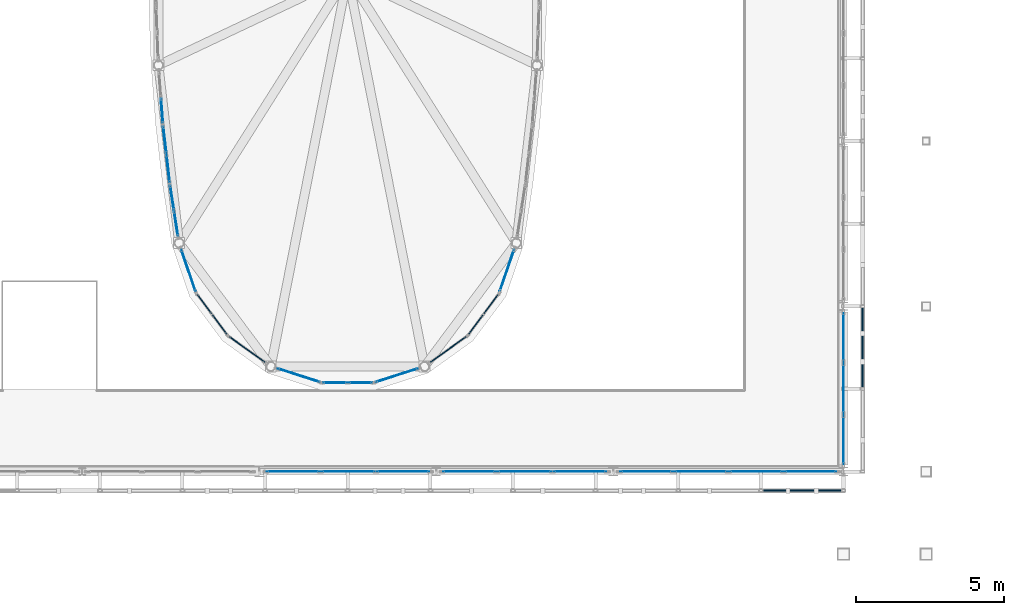
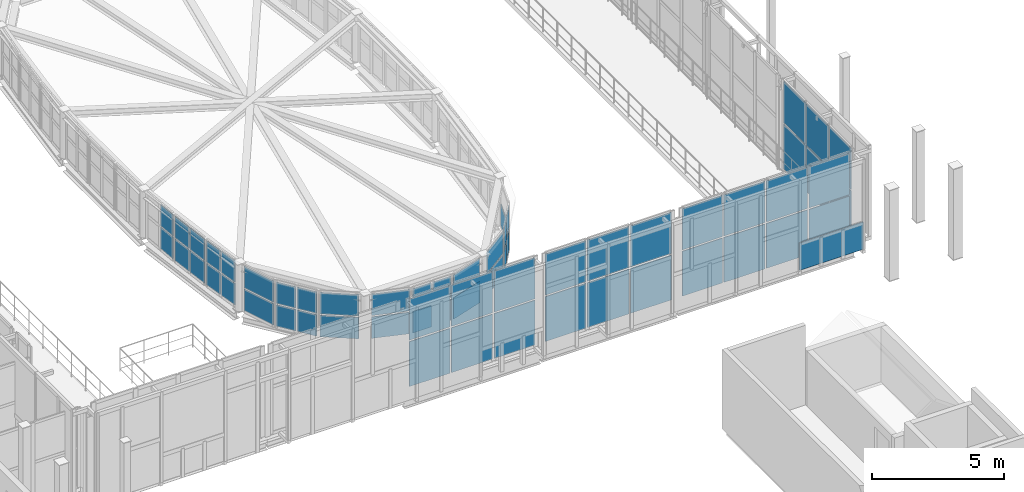
# One storey, part 51 of 78: 61 plates, 16 elements without a shape of their own.
"""IFC4 building model written with IfcOpenShell, lengths in metres."""

from ifc_helpers import new_model, si_unit, direction, frame, origin, origin_2d, place, context, subcontext, project, spatial, rectangle, extrude, material, layer, layer_set, type_object, element, aggregate, save


model = new_model("IFC4")

# Units and contexts
model_context = context("Model", 3, precision=1e-05, world=origin(), true_north=direction((0.0, 1.0)))
body_context = subcontext(model_context, "Body", "Model", "MODEL_VIEW")
ifc_project = project(units=[si_unit("LENGTHUNIT", "METRE"), si_unit("AREAUNIT", "SQUARE_METRE"), si_unit("VOLUMEUNIT", "CUBIC_METRE"), si_unit("PLANEANGLEUNIT", "RADIAN"), si_unit("MASSUNIT", "GRAM", prefix="KILO")], contexts=[model_context])

# Site, building, storey
site_placement = place(None, origin())
site = spatial("IfcSite", under=ifc_project, at=site_placement, CompositionType="ELEMENT")
building_placement = place(site_placement, origin())
building = spatial("IfcBuilding", under=site, at=building_placement, Name="Vinh Khe Railworks Police Headquarters", CompositionType="ELEMENT")
storey_placement = place(building_placement, frame((0.0, 0.0, 13.199951171875)))
storey = spatial("IfcBuildingStorey", under=building, at=storey_placement, Name="L03", CompositionType="ELEMENT", Elevation=13.199951171875)

# Curtain wall, plates
ifc_material_1 = material(Name="Anodised aluminium and acoustic laminated glass", Category="aluminium")
ifc_layer_1 = layer(ifc_material_1, 0.159912109375)
ifc_layer_set_1 = layer_set([ifc_layer_1], Name="Anodised aluminium and acoustic laminated glass")
curtain_wall_type_1 = type_object("IfcCurtainWallType", Name="CW-DRUM-CHORD", PredefinedType="USERDEFINED", material=ifc_layer_set_1)
curtain_wall_1_placement = place(storey_placement, origin())
curtain_wall_1 = element("IfcCurtainWall", 1, at=curtain_wall_1_placement, inside=storey, type_object=curtain_wall_type_1, Name="Elliptical Command Drum Glazing L03 Chord 25", ObjectType="DRUM FACADE GLAZING", PredefinedType="USERDEFINED")
ifc_material_2 = material(Name="Acoustic laminated solar-control glass", Category="glass")
ifc_layer_2 = layer(ifc_material_2, 0.031982421875)
ifc_layer_set_2 = layer_set([ifc_layer_2], Name="Acoustic laminated solar-control glass")
plate_type_1 = type_object("IfcPlateType", Name="PAN-DRUM-32", PredefinedType="CURTAIN_PANEL", material=ifc_layer_set_2)
plate_1_placement = place(storey_placement, frame((36.90673828125, 37.426513671875, 0.06494140625), z_axis=(0.0, 0.0, 1.0), x_axis=(0.076969059213, -0.997033481847, 0.0)))
plate_1 = element("IfcPlate", 2, at=plate_1_placement, type_object=plate_type_1, Name="CW-02 panel 2.1", PredefinedType="CURTAIN_PANEL", context=body_context, shape_type="SweptSolid", body=[
    extrude(rectangle(XDim=0.82275390625, YDim=0.031982421875, at=origin_2d()), origin(), (0.0, 0.0, 1.0), 0.992431640625),
])
plate_2_placement = place(storey_placement, frame((36.90673828125, 37.426513671875, 1.12255859375), z_axis=(0.0, 0.0, 1.0), x_axis=(0.076969059213, -0.997033481847, 0.0)))
plate_2 = element("IfcPlate", 3, at=plate_2_placement, type_object=plate_type_1, Name="CW-02 panel 2.2", PredefinedType="CURTAIN_PANEL", context=body_context, shape_type="SweptSolid", body=[
    extrude(rectangle(XDim=0.82275390625, YDim=0.031982421875, at=origin_2d()), origin(), (0.0, 0.0, 1.0), 0.992431640625),
])
aggregate(curtain_wall_1, [plate_1, plate_2])

curtain_wall_2_placement = place(storey_placement, origin())
curtain_wall_2 = element("IfcCurtainWall", 4, at=curtain_wall_2_placement, inside=storey, type_object=curtain_wall_type_1, Name="Elliptical Command Drum Glazing L03 Chord 26", ObjectType="DRUM FACADE GLAZING", PredefinedType="USERDEFINED")
plate_3_placement = place(storey_placement, frame((37.00341796875, 36.43310546875, 0.06494140625), z_axis=(0.0, 0.0, 1.0), x_axis=(0.115317737498, -0.993328656296, 0.0)))
plate_3 = element("IfcPlate", 5, at=plate_3_placement, type_object=plate_type_1, Name="CW-02 panel 1.1", PredefinedType="CURTAIN_PANEL", context=body_context, shape_type="SweptSolid", body=[
    extrude(rectangle(XDim=0.913818359375, YDim=0.031982421875, at=origin_2d()), origin(), (0.0, 0.0, 1.0), 0.992431640625),
])
plate_4_placement = place(storey_placement, frame((37.00341796875, 36.43310546875, 1.12255859375), z_axis=(0.0, 0.0, 1.0), x_axis=(0.115317737498, -0.993328656296, 0.0)))
plate_4 = element("IfcPlate", 6, at=plate_4_placement, type_object=plate_type_1, Name="CW-02 panel 1.2", PredefinedType="CURTAIN_PANEL", context=body_context, shape_type="SweptSolid", body=[
    extrude(rectangle(XDim=0.913818359375, YDim=0.031982421875, at=origin_2d()), origin(), (0.0, 0.0, 1.0), 0.992431640625),
])
plate_5_placement = place(storey_placement, frame((37.116455078125, 35.4609375, 0.06494140625), z_axis=(0.0, 0.0, 1.0), x_axis=(0.115317737498, -0.993328656296, 0.0)))
plate_5 = element("IfcPlate", 7, at=plate_5_placement, type_object=plate_type_1, Name="CW-02 panel 2.1", PredefinedType="CURTAIN_PANEL", context=body_context, shape_type="SweptSolid", body=[
    extrude(rectangle(XDim=0.913818359375, YDim=0.031982421875, at=origin_2d()), origin(), (0.0, 0.0, 1.0), 0.992431640625),
])
plate_6_placement = place(storey_placement, frame((37.116455078125, 35.4609375, 1.12255859375), z_axis=(0.0, 0.0, 1.0), x_axis=(0.115317737498, -0.993328656296, 0.0)))
plate_6 = element("IfcPlate", 8, at=plate_6_placement, type_object=plate_type_1, Name="CW-02 panel 2.2", PredefinedType="CURTAIN_PANEL", context=body_context, shape_type="SweptSolid", body=[
    extrude(rectangle(XDim=0.913818359375, YDim=0.031982421875, at=origin_2d()), origin(), (0.0, 0.0, 1.0), 0.992431640625),
])
aggregate(curtain_wall_2, [plate_3, plate_4, plate_5, plate_6])

curtain_wall_3_placement = place(storey_placement, origin())
curtain_wall_3 = element("IfcCurtainWall", 9, at=curtain_wall_3_placement, inside=storey, type_object=curtain_wall_type_1, Name="Elliptical Command Drum Glazing L03 Chord 27", ObjectType="DRUM FACADE GLAZING", PredefinedType="USERDEFINED")
plate_7_placement = place(storey_placement, frame((37.249755859375, 34.471923828125, 0.06494140625), z_axis=(0.0, 0.0, 1.0), x_axis=(0.153488905684, -0.988150371063, 0.0)))
plate_7 = element("IfcPlate", 10, at=plate_7_placement, type_object=plate_type_1, Name="CW-02 panel 1.1", PredefinedType="CURTAIN_PANEL", context=body_context, shape_type="SweptSolid", body=[
    extrude(rectangle(XDim=0.82275390625, YDim=0.031982421875, at=origin_2d()), origin(), (0.0, 0.0, 1.0), 0.992431640625),
])
plate_8_placement = place(storey_placement, frame((37.249755859375, 34.471923828125, 1.12255859375), z_axis=(0.0, 0.0, 1.0), x_axis=(0.153488905684, -0.988150371063, 0.0)))
plate_8 = element("IfcPlate", 11, at=plate_8_placement, type_object=plate_type_1, Name="CW-02 panel 1.2", PredefinedType="CURTAIN_PANEL", context=body_context, shape_type="SweptSolid", body=[
    extrude(rectangle(XDim=0.82275390625, YDim=0.031982421875, at=origin_2d()), origin(), (0.0, 0.0, 1.0), 0.992431640625),
])
plate_9_placement = place(storey_placement, frame((37.385986328125, 33.5947265625, 0.06494140625), z_axis=(0.0, 0.0, 1.0), x_axis=(0.153488905684, -0.988150371063, 0.0)))
plate_9 = element("IfcPlate", 12, at=plate_9_placement, type_object=plate_type_1, Name="CW-02 panel 2.1", PredefinedType="CURTAIN_PANEL", context=body_context, shape_type="SweptSolid", body=[
    extrude(rectangle(XDim=0.82275390625, YDim=0.031982421875, at=origin_2d()), origin(), (0.0, 0.0, 1.0), 0.992431640625),
])
plate_10_placement = place(storey_placement, frame((37.385986328125, 33.5947265625, 1.12255859375), z_axis=(0.0, 0.0, 1.0), x_axis=(0.153488905684, -0.988150371063, 0.0)))
plate_10 = element("IfcPlate", 13, at=plate_10_placement, type_object=plate_type_1, Name="CW-02 panel 2.2", PredefinedType="CURTAIN_PANEL", context=body_context, shape_type="SweptSolid", body=[
    extrude(rectangle(XDim=0.82275390625, YDim=0.031982421875, at=origin_2d()), origin(), (0.0, 0.0, 1.0), 0.992431640625),
])
aggregate(curtain_wall_3, [plate_7, plate_8, plate_9, plate_10])

curtain_wall_4_placement = place(storey_placement, origin())
curtain_wall_4 = element("IfcCurtainWall", 14, at=curtain_wall_4_placement, inside=storey, type_object=curtain_wall_type_1, Name="Elliptical Command Drum Glazing L03 Chord 28", ObjectType="DRUM FACADE GLAZING", PredefinedType="USERDEFINED")
plate_11_placement = place(storey_placement, frame((37.805908203125, 32.009033203125, 0.06494140625), z_axis=(0.0, 0.0, 1.0), x_axis=(0.322748955701, -0.946484607162, 0.0)))
plate_11 = element("IfcPlate", 15, at=plate_11_placement, type_object=plate_type_1, Name="CW-02 panel 1.1", PredefinedType="CURTAIN_PANEL", context=body_context, shape_type="SweptSolid", body=[
    extrude(rectangle(XDim=1.48193359375, YDim=0.031982421875, at=origin_2d()), origin(), (0.0, 0.0, 1.0), 0.992431640625),
])
plate_12_placement = place(storey_placement, frame((37.805908203125, 32.009033203125, 1.12255859375), z_axis=(0.0, 0.0, 1.0), x_axis=(0.322748955701, -0.946484607162, 0.0)))
plate_12 = element("IfcPlate", 16, at=plate_12_placement, type_object=plate_type_1, Name="CW-02 panel 1.2", PredefinedType="CURTAIN_PANEL", context=body_context, shape_type="SweptSolid", body=[
    extrude(rectangle(XDim=1.48193359375, YDim=0.031982421875, at=origin_2d()), origin(), (0.0, 0.0, 1.0), 0.992431640625),
])
aggregate(curtain_wall_4, [plate_11, plate_12])

curtain_wall_5_placement = place(storey_placement, origin())
curtain_wall_5 = element("IfcCurtainWall", 17, at=curtain_wall_5_placement, inside=storey, type_object=curtain_wall_type_1, Name="Elliptical Command Drum Glazing L03 Chord 29", ObjectType="DRUM FACADE GLAZING", PredefinedType="USERDEFINED")
plate_13_placement = place(storey_placement, frame((38.34326171875, 30.873291015625, 0.06494140625), z_axis=(0.0, 0.0, 1.0), x_axis=(0.596528425784, -0.802591949394, 0.0)))
plate_13 = element("IfcPlate", 18, at=plate_13_placement, type_object=plate_type_1, Name="CW-02 panel 1.1", PredefinedType="CURTAIN_PANEL", context=body_context, shape_type="SweptSolid", body=[
    extrude(rectangle(XDim=0.799560546875, YDim=0.031982421875, at=origin_2d()), origin(), (0.0, 0.0, 1.0), 0.992431640625),
])
plate_14_placement = place(storey_placement, frame((38.34326171875, 30.873291015625, 1.12255859375), z_axis=(0.0, 0.0, 1.0), x_axis=(0.596528425784, -0.802591949394, 0.0)))
plate_14 = element("IfcPlate", 19, at=plate_14_placement, type_object=plate_type_1, Name="CW-02 panel 1.2", PredefinedType="CURTAIN_PANEL", context=body_context, shape_type="SweptSolid", body=[
    extrude(rectangle(XDim=0.799560546875, YDim=0.031982421875, at=origin_2d()), origin(), (0.0, 0.0, 1.0), 0.992431640625),
])
plate_15_placement = place(storey_placement, frame((38.85888671875, 30.179443359375, 0.06494140625), z_axis=(0.0, 0.0, 1.0), x_axis=(0.596528425784, -0.802591949394, 0.0)))
plate_15 = element("IfcPlate", 20, at=plate_15_placement, type_object=plate_type_1, Name="CW-02 panel 2.1", PredefinedType="CURTAIN_PANEL", context=body_context, shape_type="SweptSolid", body=[
    extrude(rectangle(XDim=0.799560546875, YDim=0.031982421875, at=origin_2d()), origin(), (0.0, 0.0, 1.0), 0.992431640625),
])
plate_16_placement = place(storey_placement, frame((38.85888671875, 30.179443359375, 1.12255859375), z_axis=(0.0, 0.0, 1.0), x_axis=(0.596528425784, -0.802591949394, 0.0)))
plate_16 = element("IfcPlate", 21, at=plate_16_placement, type_object=plate_type_1, Name="CW-02 panel 2.2", PredefinedType="CURTAIN_PANEL", context=body_context, shape_type="SweptSolid", body=[
    extrude(rectangle(XDim=0.799560546875, YDim=0.031982421875, at=origin_2d()), origin(), (0.0, 0.0, 1.0), 0.992431640625),
])
aggregate(curtain_wall_5, [plate_13, plate_14, plate_15, plate_16])

curtain_wall_6_placement = place(storey_placement, origin())
curtain_wall_6 = element("IfcCurtainWall", 22, at=curtain_wall_6_placement, inside=storey, type_object=curtain_wall_type_1, Name="Elliptical Command Drum Glazing L03 Chord 30", ObjectType="DRUM FACADE GLAZING", PredefinedType="USERDEFINED")
plate_17_placement = place(storey_placement, frame((39.79150390625, 29.33740234375, 0.06494140625), z_axis=(0.0, 0.0, 1.0), x_axis=(0.813250307161, -0.581914029649, 0.0)))
plate_17 = element("IfcPlate", 23, at=plate_17_placement, type_object=plate_type_1, Name="CW-02 panel 1.1", PredefinedType="CURTAIN_PANEL", context=body_context, shape_type="SweptSolid", body=[
    extrude(rectangle(XDim=1.48193359375, YDim=0.031982421875, at=origin_2d()), origin(), (0.0, 0.0, 1.0), 0.992431640625),
])
plate_18_placement = place(storey_placement, frame((39.79150390625, 29.33740234375, 1.12255859375), z_axis=(0.0, 0.0, 1.0), x_axis=(0.813250307161, -0.581914029649, 0.0)))
plate_18 = element("IfcPlate", 24, at=plate_18_placement, type_object=plate_type_1, Name="CW-02 panel 1.2", PredefinedType="CURTAIN_PANEL", context=body_context, shape_type="SweptSolid", body=[
    extrude(rectangle(XDim=1.48193359375, YDim=0.031982421875, at=origin_2d()), origin(), (0.0, 0.0, 1.0), 0.992431640625),
])
aggregate(curtain_wall_6, [plate_17, plate_18])

curtain_wall_7_placement = place(storey_placement, origin())
curtain_wall_7 = element("IfcCurtainWall", 25, at=curtain_wall_7_placement, inside=storey, type_object=curtain_wall_type_1, Name="Elliptical Command Drum Glazing L03 Chord 31", ObjectType="DRUM FACADE GLAZING", PredefinedType="USERDEFINED")
plate_19_placement = place(storey_placement, frame((41.53564453125, 28.460693359375, 0.06494140625), z_axis=(0.0, 0.0, 1.0), x_axis=(0.952166591336, -0.305579420681, 0.0)))
plate_19 = element("IfcPlate", 26, at=plate_19_placement, type_object=plate_type_1, Name="CW-02 panel 1.1", PredefinedType="CURTAIN_PANEL", context=body_context, shape_type="SweptSolid", body=[
    extrude(rectangle(XDim=1.48193359375, YDim=0.031982421875, at=origin_2d()), origin(), (0.0, 0.0, 1.0), 0.992431640625),
])
plate_20_placement = place(storey_placement, frame((41.53564453125, 28.460693359375, 1.12255859375), z_axis=(0.0, 0.0, 1.0), x_axis=(0.952166591336, -0.305579420681, 0.0)))
plate_20 = element("IfcPlate", 27, at=plate_20_placement, type_object=plate_type_1, Name="CW-02 panel 1.2", PredefinedType="CURTAIN_PANEL", context=body_context, shape_type="SweptSolid", body=[
    extrude(rectangle(XDim=1.48193359375, YDim=0.031982421875, at=origin_2d()), origin(), (0.0, 0.0, 1.0), 0.992431640625),
])
aggregate(curtain_wall_7, [plate_19, plate_20])

curtain_wall_8_placement = place(storey_placement, origin())
curtain_wall_8 = element("IfcCurtainWall", 28, at=curtain_wall_8_placement, inside=storey, type_object=curtain_wall_type_1, Name="Elliptical Command Drum Glazing L03 Chord 32", ObjectType="DRUM FACADE GLAZING", PredefinedType="USERDEFINED")
plate_21_placement = place(storey_placement, frame((42.767822265625, 28.21435546875, 0.06494140625), z_axis=(0.0, 0.0, 1.0), x_axis=(1.0, 0.0, 0.0)))
plate_21 = element("IfcPlate", 29, at=plate_21_placement, type_object=plate_type_1, Name="CW-02 panel 1.1", PredefinedType="CURTAIN_PANEL", context=body_context, shape_type="SweptSolid", body=[
    extrude(rectangle(XDim=0.799560546875, YDim=0.031982421875, at=origin_2d()), origin(), (0.0, 0.0, 1.0), 0.992431640625),
])
plate_22_placement = place(storey_placement, frame((42.767822265625, 28.21435546875, 1.12255859375), z_axis=(0.0, 0.0, 1.0), x_axis=(1.0, 0.0, 0.0)))
plate_22 = element("IfcPlate", 30, at=plate_22_placement, type_object=plate_type_1, Name="CW-02 panel 1.2", PredefinedType="CURTAIN_PANEL", context=body_context, shape_type="SweptSolid", body=[
    extrude(rectangle(XDim=0.799560546875, YDim=0.031982421875, at=origin_2d()), origin(), (0.0, 0.0, 1.0), 0.992431640625),
])
plate_23_placement = place(storey_placement, frame((43.63232421875, 28.21435546875, 0.06494140625), z_axis=(0.0, 0.0, 1.0), x_axis=(1.0, 0.0, 0.0)))
plate_23 = element("IfcPlate", 31, at=plate_23_placement, type_object=plate_type_1, Name="CW-02 panel 2.1", PredefinedType="CURTAIN_PANEL", context=body_context, shape_type="SweptSolid", body=[
    extrude(rectangle(XDim=0.799560546875, YDim=0.031982421875, at=origin_2d()), origin(), (0.0, 0.0, 1.0), 0.992431640625),
])
plate_24_placement = place(storey_placement, frame((43.63232421875, 28.21435546875, 1.12255859375), z_axis=(0.0, 0.0, 1.0), x_axis=(1.0, 0.0, 0.0)))
plate_24 = element("IfcPlate", 32, at=plate_24_placement, type_object=plate_type_1, Name="CW-02 panel 2.2", PredefinedType="CURTAIN_PANEL", context=body_context, shape_type="SweptSolid", body=[
    extrude(rectangle(XDim=0.799560546875, YDim=0.031982421875, at=origin_2d()), origin(), (0.0, 0.0, 1.0), 0.992431640625),
])
aggregate(curtain_wall_8, [plate_21, plate_22, plate_23, plate_24])

curtain_wall_9_placement = place(storey_placement, origin())
curtain_wall_9 = element("IfcCurtainWall", 33, at=curtain_wall_9_placement, inside=storey, type_object=curtain_wall_type_1, Name="Elliptical Command Drum Glazing L03 Chord 33", ObjectType="DRUM FACADE GLAZING", PredefinedType="USERDEFINED")
plate_25_placement = place(storey_placement, frame((44.864501953125, 28.460693359375, 0.06494140625), z_axis=(0.0, 0.0, 1.0), x_axis=(0.952166591336, 0.305579420681, 0.0)))
plate_25 = element("IfcPlate", 34, at=plate_25_placement, type_object=plate_type_1, Name="CW-02 panel 1.1", PredefinedType="CURTAIN_PANEL", context=body_context, shape_type="SweptSolid", body=[
    extrude(rectangle(XDim=1.48193359375, YDim=0.031982421875, at=origin_2d()), origin(), (0.0, 0.0, 1.0), 0.992431640625),
])
plate_26_placement = place(storey_placement, frame((44.864501953125, 28.460693359375, 1.12255859375), z_axis=(0.0, 0.0, 1.0), x_axis=(0.952166591336, 0.305579420681, 0.0)))
plate_26 = element("IfcPlate", 35, at=plate_26_placement, type_object=plate_type_1, Name="CW-02 panel 1.2", PredefinedType="CURTAIN_PANEL", context=body_context, shape_type="SweptSolid", body=[
    extrude(rectangle(XDim=1.48193359375, YDim=0.031982421875, at=origin_2d()), origin(), (0.0, 0.0, 1.0), 0.992431640625),
])
aggregate(curtain_wall_9, [plate_25, plate_26])

curtain_wall_10_placement = place(storey_placement, origin())
curtain_wall_10 = element("IfcCurtainWall", 36, at=curtain_wall_10_placement, inside=storey, type_object=curtain_wall_type_1, Name="Elliptical Command Drum Glazing L03 Chord 34", ObjectType="DRUM FACADE GLAZING", PredefinedType="USERDEFINED")
plate_27_placement = place(storey_placement, frame((46.6083984375, 29.33740234375, 0.06494140625), z_axis=(0.0, 0.0, 1.0), x_axis=(0.813250307161, 0.581914029649, 0.0)))
plate_27 = element("IfcPlate", 37, at=plate_27_placement, type_object=plate_type_1, Name="CW-02 panel 1.1", PredefinedType="CURTAIN_PANEL", context=body_context, shape_type="SweptSolid", body=[
    extrude(rectangle(XDim=1.48193359375, YDim=0.031982421875, at=origin_2d()), origin(), (0.0, 0.0, 1.0), 0.992431640625),
])
plate_28_placement = place(storey_placement, frame((46.6083984375, 29.33740234375, 1.12255859375), z_axis=(0.0, 0.0, 1.0), x_axis=(0.813250307161, 0.581914029649, 0.0)))
plate_28 = element("IfcPlate", 38, at=plate_28_placement, type_object=plate_type_1, Name="CW-02 panel 1.2", PredefinedType="CURTAIN_PANEL", context=body_context, shape_type="SweptSolid", body=[
    extrude(rectangle(XDim=1.48193359375, YDim=0.031982421875, at=origin_2d()), origin(), (0.0, 0.0, 1.0), 0.992431640625),
])
aggregate(curtain_wall_10, [plate_27, plate_28])

curtain_wall_11_placement = place(storey_placement, origin())
curtain_wall_11 = element("IfcCurtainWall", 39, at=curtain_wall_11_placement, inside=storey, type_object=curtain_wall_type_1, Name="Elliptical Command Drum Glazing L03 Chord 35", ObjectType="DRUM FACADE GLAZING", PredefinedType="USERDEFINED")
plate_29_placement = place(storey_placement, frame((47.541259765625, 30.179443359375, 0.06494140625), z_axis=(0.0, 0.0, 1.0), x_axis=(0.596528425784, 0.802591949394, 0.0)))
plate_29 = element("IfcPlate", 40, at=plate_29_placement, type_object=plate_type_1, Name="CW-02 panel 1.1", PredefinedType="CURTAIN_PANEL", context=body_context, shape_type="SweptSolid", body=[
    extrude(rectangle(XDim=0.799560546875, YDim=0.031982421875, at=origin_2d()), origin(), (0.0, 0.0, 1.0), 0.992431640625),
])
plate_30_placement = place(storey_placement, frame((47.541259765625, 30.179443359375, 1.12255859375), z_axis=(0.0, 0.0, 1.0), x_axis=(0.596528425784, 0.802591949394, 0.0)))
plate_30 = element("IfcPlate", 41, at=plate_30_placement, type_object=plate_type_1, Name="CW-02 panel 1.2", PredefinedType="CURTAIN_PANEL", context=body_context, shape_type="SweptSolid", body=[
    extrude(rectangle(XDim=0.799560546875, YDim=0.031982421875, at=origin_2d()), origin(), (0.0, 0.0, 1.0), 0.992431640625),
])
plate_31_placement = place(storey_placement, frame((48.056884765625, 30.873291015625, 0.06494140625), z_axis=(0.0, 0.0, 1.0), x_axis=(0.596528425784, 0.802591949394, 0.0)))
plate_31 = element("IfcPlate", 42, at=plate_31_placement, type_object=plate_type_1, Name="CW-02 panel 2.1", PredefinedType="CURTAIN_PANEL", context=body_context, shape_type="SweptSolid", body=[
    extrude(rectangle(XDim=0.799560546875, YDim=0.031982421875, at=origin_2d()), origin(), (0.0, 0.0, 1.0), 0.992431640625),
])
plate_32_placement = place(storey_placement, frame((48.056884765625, 30.873291015625, 1.12255859375), z_axis=(0.0, 0.0, 1.0), x_axis=(0.596528425784, 0.802591949394, 0.0)))
plate_32 = element("IfcPlate", 43, at=plate_32_placement, type_object=plate_type_1, Name="CW-02 panel 2.2", PredefinedType="CURTAIN_PANEL", context=body_context, shape_type="SweptSolid", body=[
    extrude(rectangle(XDim=0.799560546875, YDim=0.031982421875, at=origin_2d()), origin(), (0.0, 0.0, 1.0), 0.992431640625),
])
aggregate(curtain_wall_11, [plate_29, plate_30, plate_31, plate_32])

# Curtain wall, plate
curtain_wall_12_placement = place(storey_placement, origin())
curtain_wall_12 = element("IfcCurtainWall", 44, at=curtain_wall_12_placement, inside=storey, type_object=curtain_wall_type_1, Name="Elliptical Command Drum Glazing L03 Chord 36", ObjectType="DRUM FACADE GLAZING", PredefinedType="USERDEFINED")
plate_33_placement = place(storey_placement, frame((48.59423828125, 32.009033203125, 0.06494140625), z_axis=(0.0, 0.0, 1.0), x_axis=(0.322748955701, 0.946484607162, 0.0)))
plate_33 = element("IfcPlate", 45, at=plate_33_placement, type_object=plate_type_1, Name="CW-02 panel 1.1", PredefinedType="CURTAIN_PANEL", context=body_context, shape_type="SweptSolid", body=[
    extrude(rectangle(XDim=1.48193359375, YDim=0.031982421875, at=origin_2d()), origin(), (0.0, 0.0, 1.0), 0.992431640625),
])
aggregate(curtain_wall_12, [plate_33])

# Curtain wall, plates
ifc_material_3 = material(Name="Anodised aluminium and low-iron glass", Category="aluminium")
ifc_layer_3 = layer(ifc_material_3, 0.179931640625)
ifc_layer_set_3 = layer_set([ifc_layer_3], Name="Anodised aluminium and low-iron glass")
curtain_wall_type_2 = type_object("IfcCurtainWallType", Name="CW-CUBE-UNIT", PredefinedType="USERDEFINED", material=ifc_layer_set_3)
curtain_wall_13_placement = place(storey_placement, origin())
curtain_wall_13 = element("IfcCurtainWall", 46, at=curtain_wall_13_placement, inside=storey, type_object=curtain_wall_type_2, Name="Entrance Hall Curtain Wall L03 S-3", ObjectType="UNITISED GLAZING", PredefinedType="USERDEFINED")
ifc_material_4 = material(Name="Low-iron laminated solar-control glass", Category="glass")
ifc_layer_4 = layer(ifc_material_4, 0.028076171875)
ifc_layer_set_4 = layer_set([ifc_layer_4], Name="Low-iron laminated solar-control glass")
plate_type_2 = type_object("IfcPlateType", Name="PAN-GLZ-28", PredefinedType="CURTAIN_PANEL", material=ifc_layer_set_4)
plate_34_placement = place(storey_placement, frame((41.353271484375, 25.199951171875, 0.070068359375), z_axis=(0.0, 0.0, 1.0), x_axis=(1.0, 0.0, 0.0)))
plate_34 = element("IfcPlate", 47, at=plate_34_placement, type_object=plate_type_2, Name="CW-01 panel 1.1", PredefinedType="CURTAIN_PANEL", context=body_context, shape_type="SweptSolid", body=[
    extrude(rectangle(XDim=1.776611328125, YDim=0.028076171875, at=origin_2d()), origin(), (0.0, 0.0, 1.0), 2.0791015625),
])
plate_35_placement = place(storey_placement, frame((41.353271484375, 25.199951171875, 2.21923828125), z_axis=(0.0, 0.0, 1.0), x_axis=(1.0, 0.0, 0.0)))
plate_35 = element("IfcPlate", 48, at=plate_35_placement, type_object=plate_type_2, Name="CW-01 panel 1.2", PredefinedType="CURTAIN_PANEL", context=body_context, shape_type="SweptSolid", body=[
    extrude(rectangle(XDim=1.776611328125, YDim=0.028076171875, at=origin_2d()), origin(), (0.0, 0.0, 1.0), 1.910888671875),
])
plate_36_placement = place(storey_placement, frame((43.217529296875, 25.199951171875, 0.070068359375), z_axis=(0.0, 0.0, 1.0), x_axis=(1.0, 0.0, 0.0)))
plate_36 = element("IfcPlate", 49, at=plate_36_placement, type_object=plate_type_2, Name="CW-01 panel 2.1", PredefinedType="CURTAIN_PANEL", context=body_context, shape_type="SweptSolid", body=[
    extrude(rectangle(XDim=1.811767578125, YDim=0.028076171875, at=origin_2d()), origin(), (0.0, 0.0, 1.0), 2.0791015625),
])
plate_37_placement = place(storey_placement, frame((43.217529296875, 25.199951171875, 2.21923828125), z_axis=(0.0, 0.0, 1.0), x_axis=(1.0, 0.0, 0.0)))
plate_37 = element("IfcPlate", 50, at=plate_37_placement, type_object=plate_type_2, Name="CW-01 panel 2.2", PredefinedType="CURTAIN_PANEL", context=body_context, shape_type="SweptSolid", body=[
    extrude(rectangle(XDim=1.811767578125, YDim=0.028076171875, at=origin_2d()), origin(), (0.0, 0.0, 1.0), 1.910888671875),
])
plate_38_placement = place(storey_placement, frame((45.081787109375, 25.199951171875, 0.070068359375), z_axis=(0.0, 0.0, 1.0), x_axis=(1.0, 0.0, 0.0)))
plate_38 = element("IfcPlate", 51, at=plate_38_placement, type_object=plate_type_2, Name="CW-01 panel 3.1", PredefinedType="CURTAIN_PANEL", context=body_context, shape_type="SweptSolid", body=[
    extrude(rectangle(XDim=1.776611328125, YDim=0.028076171875, at=origin_2d()), origin(), (0.0, 0.0, 1.0), 2.0791015625),
])
plate_39_placement = place(storey_placement, frame((45.081787109375, 25.199951171875, 2.21923828125), z_axis=(0.0, 0.0, 1.0), x_axis=(1.0, 0.0, 0.0)))
plate_39 = element("IfcPlate", 52, at=plate_39_placement, type_object=plate_type_2, Name="CW-01 panel 3.2", PredefinedType="CURTAIN_PANEL", context=body_context, shape_type="SweptSolid", body=[
    extrude(rectangle(XDim=1.776611328125, YDim=0.028076171875, at=origin_2d()), origin(), (0.0, 0.0, 1.0), 1.910888671875),
])
aggregate(curtain_wall_13, [plate_34, plate_35, plate_36, plate_37, plate_38, plate_39])

curtain_wall_14_placement = place(storey_placement, origin())
curtain_wall_14 = element("IfcCurtainWall", 53, at=curtain_wall_14_placement, inside=storey, type_object=curtain_wall_type_2, Name="Entrance Hall Curtain Wall L03 S-4", ObjectType="UNITISED GLAZING", PredefinedType="USERDEFINED")
plate_40_placement = place(storey_placement, frame((47.322509765625, 25.199951171875, 0.070068359375), z_axis=(0.0, 0.0, 1.0), x_axis=(1.0, 0.0, 0.0)))
plate_40 = element("IfcPlate", 54, at=plate_40_placement, type_object=plate_type_2, Name="CW-01 panel 1.1", PredefinedType="CURTAIN_PANEL", context=body_context, shape_type="SweptSolid", body=[
    extrude(rectangle(XDim=1.784912109375, YDim=0.028076171875, at=origin_2d()), origin(), (0.0, 0.0, 1.0), 2.0791015625),
])
plate_41_placement = place(storey_placement, frame((47.322509765625, 25.199951171875, 2.21923828125), z_axis=(0.0, 0.0, 1.0), x_axis=(1.0, 0.0, 0.0)))
plate_41 = element("IfcPlate", 55, at=plate_41_placement, type_object=plate_type_2, Name="CW-01 panel 1.2", PredefinedType="CURTAIN_PANEL", context=body_context, shape_type="SweptSolid", body=[
    extrude(rectangle(XDim=1.784912109375, YDim=0.028076171875, at=origin_2d()), origin(), (0.0, 0.0, 1.0), 1.910888671875),
])
plate_42_placement = place(storey_placement, frame((49.195068359375, 25.199951171875, 0.070068359375), z_axis=(0.0, 0.0, 1.0), x_axis=(1.0, 0.0, 0.0)))
plate_42 = element("IfcPlate", 56, at=plate_42_placement, type_object=plate_type_2, Name="CW-01 panel 2.1", PredefinedType="CURTAIN_PANEL", context=body_context, shape_type="SweptSolid", body=[
    extrude(rectangle(XDim=1.820068359375, YDim=0.028076171875, at=origin_2d()), origin(), (0.0, 0.0, 1.0), 2.0791015625),
])
plate_43_placement = place(storey_placement, frame((49.195068359375, 25.199951171875, 2.21923828125), z_axis=(0.0, 0.0, 1.0), x_axis=(1.0, 0.0, 0.0)))
plate_43 = element("IfcPlate", 57, at=plate_43_placement, type_object=plate_type_2, Name="CW-01 panel 2.2", PredefinedType="CURTAIN_PANEL", context=body_context, shape_type="SweptSolid", body=[
    extrude(rectangle(XDim=1.820068359375, YDim=0.028076171875, at=origin_2d()), origin(), (0.0, 0.0, 1.0), 1.910888671875),
])
plate_44_placement = place(storey_placement, frame((51.0673828125, 25.199951171875, 0.070068359375), z_axis=(0.0, 0.0, 1.0), x_axis=(1.0, 0.0, 0.0)))
plate_44 = element("IfcPlate", 58, at=plate_44_placement, type_object=plate_type_2, Name="CW-01 panel 3.1", PredefinedType="CURTAIN_PANEL", context=body_context, shape_type="SweptSolid", body=[
    extrude(rectangle(XDim=1.784912109375, YDim=0.028076171875, at=origin_2d()), origin(), (0.0, 0.0, 1.0), 2.0791015625),
])
plate_45_placement = place(storey_placement, frame((51.0673828125, 25.199951171875, 2.21923828125), z_axis=(0.0, 0.0, 1.0), x_axis=(1.0, 0.0, 0.0)))
plate_45 = element("IfcPlate", 59, at=plate_45_placement, type_object=plate_type_2, Name="CW-01 panel 3.2", PredefinedType="CURTAIN_PANEL", context=body_context, shape_type="SweptSolid", body=[
    extrude(rectangle(XDim=1.784912109375, YDim=0.028076171875, at=origin_2d()), origin(), (0.0, 0.0, 1.0), 1.910888671875),
])
aggregate(curtain_wall_14, [plate_40, plate_41, plate_42, plate_43, plate_44, plate_45])

curtain_wall_15_placement = place(storey_placement, origin())
curtain_wall_15 = element("IfcCurtainWall", 60, at=curtain_wall_15_placement, inside=storey, type_object=curtain_wall_type_2, Name="Entrance Hall Curtain Wall L03 S-5", ObjectType="UNITISED GLAZING", PredefinedType="USERDEFINED")
plate_46_placement = place(storey_placement, frame((53.320068359375, 25.199951171875, 0.070068359375), z_axis=(0.0, 0.0, 1.0), x_axis=(1.0, 0.0, 0.0)))
plate_46 = element("IfcPlate", 61, at=plate_46_placement, type_object=plate_type_2, Name="CW-01 panel 1.1", PredefinedType="CURTAIN_PANEL", context=body_context, shape_type="SweptSolid", body=[
    extrude(rectangle(XDim=1.760009765625, YDim=0.028076171875, at=origin_2d()), origin(), (0.0, 0.0, 1.0), 2.0791015625),
])
plate_47_placement = place(storey_placement, frame((53.320068359375, 25.199951171875, 2.21923828125), z_axis=(0.0, 0.0, 1.0), x_axis=(1.0, 0.0, 0.0)))
plate_47 = element("IfcPlate", 62, at=plate_47_placement, type_object=plate_type_2, Name="CW-01 panel 1.2", PredefinedType="CURTAIN_PANEL", context=body_context, shape_type="SweptSolid", body=[
    extrude(rectangle(XDim=1.760009765625, YDim=0.028076171875, at=origin_2d()), origin(), (0.0, 0.0, 1.0), 1.910888671875),
])
plate_48_placement = place(storey_placement, frame((55.16748046875, 25.199951171875, 0.070068359375), z_axis=(0.0, 0.0, 1.0), x_axis=(1.0, 0.0, 0.0)))
plate_48 = element("IfcPlate", 63, at=plate_48_placement, type_object=plate_type_2, Name="CW-01 panel 2.1", PredefinedType="CURTAIN_PANEL", context=body_context, shape_type="SweptSolid", body=[
    extrude(rectangle(XDim=1.794921875, YDim=0.028076171875, at=origin_2d()), origin(), (0.0, 0.0, 1.0), 2.0791015625),
])
plate_49_placement = place(storey_placement, frame((55.16748046875, 25.199951171875, 2.21923828125), z_axis=(0.0, 0.0, 1.0), x_axis=(1.0, 0.0, 0.0)))
plate_49 = element("IfcPlate", 64, at=plate_49_placement, type_object=plate_type_2, Name="CW-01 panel 2.2", PredefinedType="CURTAIN_PANEL", context=body_context, shape_type="SweptSolid", body=[
    extrude(rectangle(XDim=1.794921875, YDim=0.028076171875, at=origin_2d()), origin(), (0.0, 0.0, 1.0), 1.910888671875),
])
plate_50_placement = place(storey_placement, frame((57.032470703125, 25.199951171875, 0.070068359375), z_axis=(0.0, 0.0, 1.0), x_axis=(1.0, 0.0, 0.0)))
plate_50 = element("IfcPlate", 65, at=plate_50_placement, type_object=plate_type_2, Name="CW-01 panel 3.1", PredefinedType="CURTAIN_PANEL", context=body_context, shape_type="SweptSolid", body=[
    extrude(rectangle(XDim=1.794921875, YDim=0.028076171875, at=origin_2d()), origin(), (0.0, 0.0, 1.0), 2.0791015625),
])
plate_51_placement = place(storey_placement, frame((57.032470703125, 25.199951171875, 2.21923828125), z_axis=(0.0, 0.0, 1.0), x_axis=(1.0, 0.0, 0.0)))
plate_51 = element("IfcPlate", 66, at=plate_51_placement, type_object=plate_type_2, Name="CW-01 panel 3.2", PredefinedType="CURTAIN_PANEL", context=body_context, shape_type="SweptSolid", body=[
    extrude(rectangle(XDim=1.794921875, YDim=0.028076171875, at=origin_2d()), origin(), (0.0, 0.0, 1.0), 1.910888671875),
])
plate_52_placement = place(storey_placement, frame((58.8798828125, 25.199951171875, 0.070068359375), z_axis=(0.0, 0.0, 1.0), x_axis=(1.0, 0.0, 0.0)))
plate_52 = element("IfcPlate", 67, at=plate_52_placement, type_object=plate_type_2, Name="CW-01 panel 4.1", PredefinedType="CURTAIN_PANEL", context=body_context, shape_type="SweptSolid", body=[
    extrude(rectangle(XDim=1.760009765625, YDim=0.028076171875, at=origin_2d()), origin(), (0.0, 0.0, 1.0), 2.0791015625),
])
plate_53_placement = place(storey_placement, frame((58.8798828125, 25.199951171875, 2.21923828125), z_axis=(0.0, 0.0, 1.0), x_axis=(1.0, 0.0, 0.0)))
plate_53 = element("IfcPlate", 68, at=plate_53_placement, type_object=plate_type_2, Name="CW-01 panel 4.2", PredefinedType="CURTAIN_PANEL", context=body_context, shape_type="SweptSolid", body=[
    extrude(rectangle(XDim=1.760009765625, YDim=0.028076171875, at=origin_2d()), origin(), (0.0, 0.0, 1.0), 1.910888671875),
])
aggregate(curtain_wall_15, [plate_46, plate_47, plate_48, plate_49, plate_50, plate_51, plate_52, plate_53])

curtain_wall_16_placement = place(storey_placement, origin())
curtain_wall_16 = element("IfcCurtainWall", 69, at=curtain_wall_16_placement, inside=storey, type_object=curtain_wall_type_2, Name="Entrance Hall Curtain Wall L03 E-1", ObjectType="UNITISED GLAZING", PredefinedType="USERDEFINED")
plate_54_placement = place(storey_placement, frame((60.0, 26.265869140625, 0.070068359375), z_axis=(0.0, 0.0, 1.0), x_axis=(0.0, 1.0, 0.0)))
plate_54 = element("IfcPlate", 70, at=plate_54_placement, type_object=plate_type_2, Name="CW-01 panel 1.1", PredefinedType="CURTAIN_PANEL", context=body_context, shape_type="SweptSolid", body=[
    extrude(rectangle(XDim=1.651611328125, YDim=0.028076171875, at=origin_2d()), origin(), (0.0, 0.0, 1.0), 2.0791015625),
])
plate_55_placement = place(storey_placement, frame((60.0, 26.265869140625, 2.21923828125), z_axis=(0.0, 0.0, 1.0), x_axis=(0.0, 1.0, 0.0)))
plate_55 = element("IfcPlate", 71, at=plate_55_placement, type_object=plate_type_2, Name="CW-01 panel 1.2", PredefinedType="CURTAIN_PANEL", context=body_context, shape_type="SweptSolid", body=[
    extrude(rectangle(XDim=1.651611328125, YDim=0.028076171875, at=origin_2d()), origin(), (0.0, 0.0, 1.0), 1.910888671875),
])
plate_56_placement = place(storey_placement, frame((60.0, 28.0048828125, 0.070068359375), z_axis=(0.0, 0.0, 1.0), x_axis=(0.0, 1.0, 0.0)))
plate_56 = element("IfcPlate", 72, at=plate_56_placement, type_object=plate_type_2, Name="CW-01 panel 2.1", PredefinedType="CURTAIN_PANEL", context=body_context, shape_type="SweptSolid", body=[
    extrude(rectangle(XDim=1.686767578125, YDim=0.028076171875, at=origin_2d()), origin(), (0.0, 0.0, 1.0), 2.0791015625),
])
plate_57_placement = place(storey_placement, frame((60.0, 28.0048828125, 2.21923828125), z_axis=(0.0, 0.0, 1.0), x_axis=(0.0, 1.0, 0.0)))
plate_57 = element("IfcPlate", 73, at=plate_57_placement, type_object=plate_type_2, Name="CW-01 panel 2.2", PredefinedType="CURTAIN_PANEL", context=body_context, shape_type="SweptSolid", body=[
    extrude(rectangle(XDim=1.686767578125, YDim=0.028076171875, at=origin_2d()), origin(), (0.0, 0.0, 1.0), 1.910888671875),
])
plate_58_placement = place(storey_placement, frame((60.0, 29.744140625, 0.070068359375), z_axis=(0.0, 0.0, 1.0), x_axis=(0.0, 1.0, 0.0)))
plate_58 = element("IfcPlate", 74, at=plate_58_placement, type_object=plate_type_2, Name="CW-01 panel 3.1", PredefinedType="CURTAIN_PANEL", context=body_context, shape_type="SweptSolid", body=[
    extrude(rectangle(XDim=1.651611328125, YDim=0.028076171875, at=origin_2d()), origin(), (0.0, 0.0, 1.0), 2.0791015625),
])
plate_59_placement = place(storey_placement, frame((60.0, 29.744140625, 2.21923828125), z_axis=(0.0, 0.0, 1.0), x_axis=(0.0, 1.0, 0.0)))
plate_59 = element("IfcPlate", 75, at=plate_59_placement, type_object=plate_type_2, Name="CW-01 panel 3.2", PredefinedType="CURTAIN_PANEL", context=body_context, shape_type="SweptSolid", body=[
    extrude(rectangle(XDim=1.651611328125, YDim=0.028076171875, at=origin_2d()), origin(), (0.0, 0.0, 1.0), 1.910888671875),
])
aggregate(curtain_wall_16, [plate_54, plate_55, plate_56, plate_57, plate_58, plate_59])

# Plates
ifc_material_5 = material(Name="Salvaged ironwood timber", Category="wood")
ifc_layer_5 = layer(ifc_material_5, 0.050048828125)
ifc_layer_set_5 = layer_set([ifc_layer_5], Name="Salvaged ironwood timber")
plate_type_3 = type_object("IfcPlateType", Name="PLT-QP-03", PredefinedType="SHEET", material=ifc_layer_set_5)
for number, where, z_axis, x_axis, name in (
    (76, (58.60009765625, 24.550048828125, 0.0), (0.0, 0.0, 1.0), (1.0, 0.0, 0.0), "Salvaged Ironwood Panelled Casement S-12"),
    (77, (60.64990234375, 29.39990234375, 0.0), (0.0, 0.0, 1.0), (0.0, 1.0, 0.0), "Salvaged Ironwood Panelled Casement E-2"),
):
    element("IfcPlate", number, at=place(storey_placement, frame(where, z_axis=z_axis, x_axis=x_axis)), inside=storey, type_object=plate_type_3, Name=name, PredefinedType="SHEET", context=body_context, shape_type="SweptSolid", body=[
        extrude(rectangle(XDim=2.800048828125, YDim=0.050048828125, at=origin_2d()), origin(), (0.0, 0.0, 1.0), 1.260009765625),
    ])

save(model, "model.ifc")
